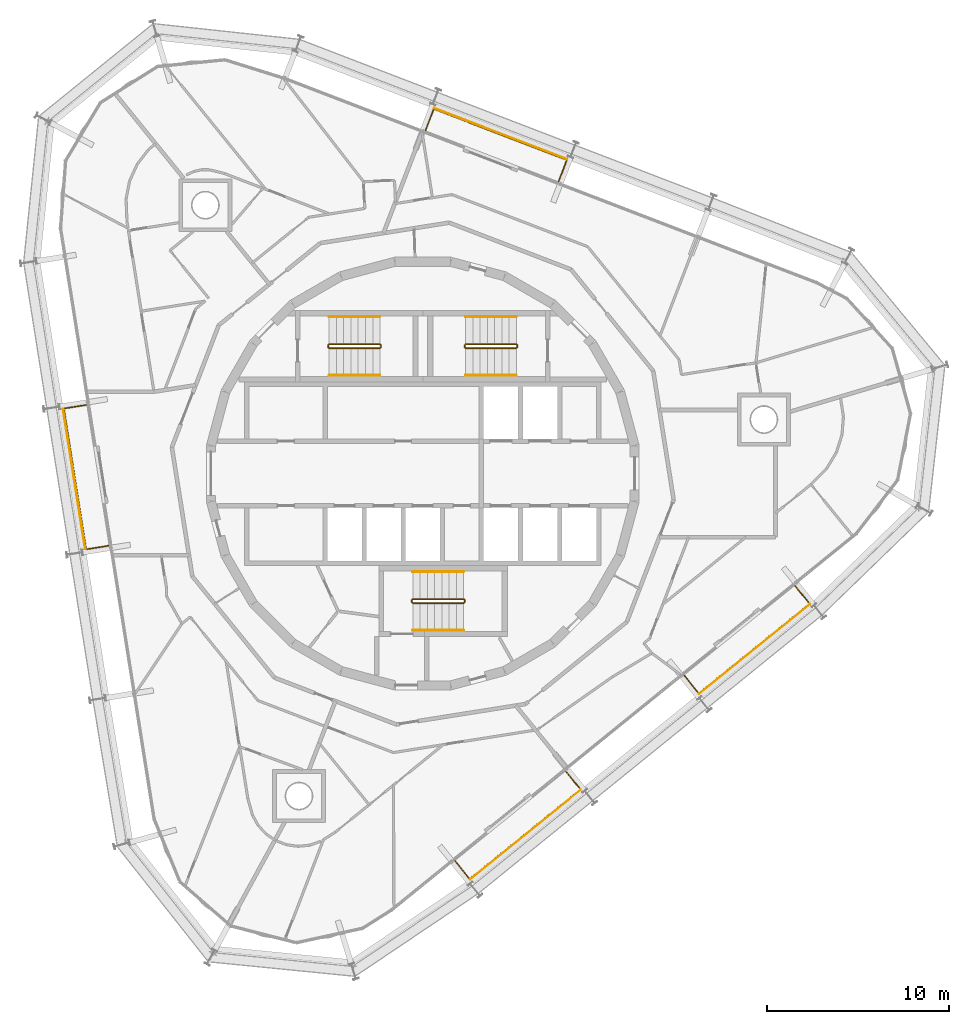
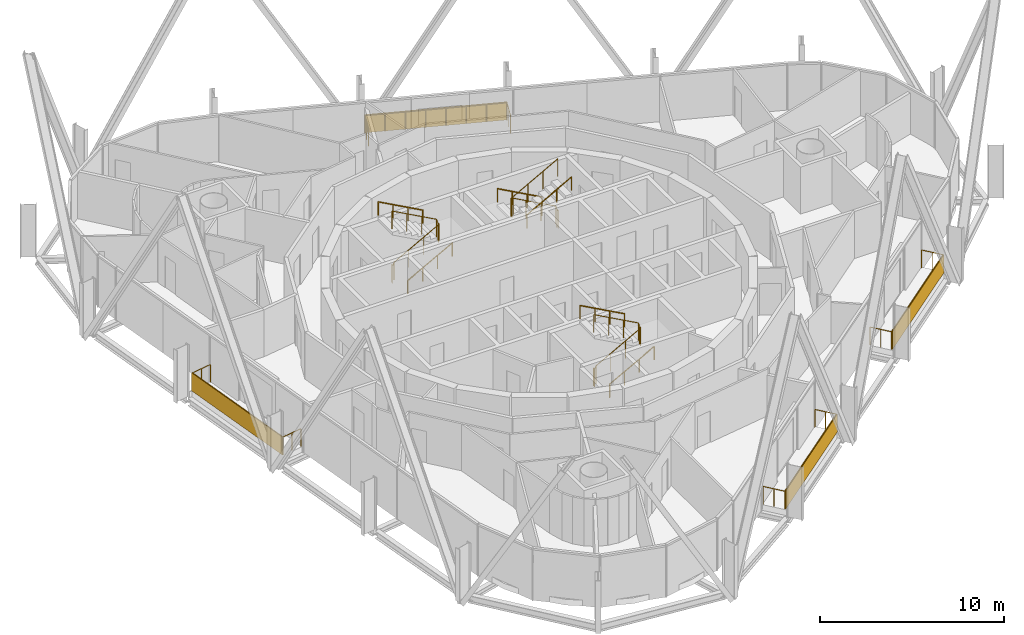
# One storey, part 18 of 18: 13 railings, 4 shading devices.
"""IFC4 building model written with IfcOpenShell, lengths in metres."""

from ifc_helpers import new_model, si_unit, direction, frame, origin, origin_2d, place, context, subcontext, project, spatial, rectangle, circle, extrude, material, layer, layer_set, type_object, element, save


model = new_model("IFC4")

# Units and contexts
model_context = context("Model", 3, precision=1e-05, world=origin(), true_north=direction((0.0, 1.0)))
body_context = subcontext(model_context, "Body", "Model", "MODEL_VIEW")
ifc_project = project(units=[si_unit("LENGTHUNIT", "METRE"), si_unit("AREAUNIT", "SQUARE_METRE"), si_unit("VOLUMEUNIT", "CUBIC_METRE"), si_unit("PLANEANGLEUNIT", "RADIAN"), si_unit("MASSUNIT", "GRAM", prefix="KILO")], contexts=[model_context])

# Site, building, storey
site_placement = place(None, origin())
site = spatial("IfcSite", under=ifc_project, at=site_placement, CompositionType="ELEMENT")
building_placement = place(site_placement, origin())
building = spatial("IfcBuilding", under=site, at=building_placement, Name="Spindle Arch Residences", CompositionType="ELEMENT")
storey_placement = place(building_placement, frame((0.0, 0.0, 277.39990234375)))
storey = spatial("IfcBuildingStorey", under=building, at=storey_placement, Name="L71", CompositionType="ELEMENT", Elevation=277.39990234375)

# Railings
ifc_material_1 = material(Name="Bronze anodised aluminium guard with glass infill", Category="aluminium")
railing_type_1 = type_object("IfcRailingType", Name="Balcony guard 1200", PredefinedType="GUARDRAIL", material=ifc_material_1)
railing_1_placement = place(storey_placement, frame((14.3857421875, -11.10888671875, 0.0)))
element("IfcRailing", 1, at=railing_1_placement, inside=storey, type_object=railing_type_1, Name="Guard L71 bay 1", PredefinedType="GUARDRAIL", context=body_context, shape_type="SweptSolid", body=[
    extrude(circle(Radius=0.02392578125, at=origin_2d()), frame((0.0, 0.0, 1.17578125), z_axis=(0.629422920791, -0.77706292331, 0.0), x_axis=(0.77706292331, 0.629422920791, 0.0)), (0.0, 0.0, 1.0), 1.250244140625),
    extrude(circle(Radius=0.02392578125, at=origin_2d()), frame((0.786865234375, -0.971435546875, 1.17578125), z_axis=(0.777138223033, 0.629329947087, 0.0), x_axis=(-0.629329947087, 0.777138223033, 0.0)), (0.0, 0.0, 1.0), 7.83740234375),
    extrude(circle(Radius=0.02392578125, at=origin_2d()), frame((6.877685546875, 3.9609375, 1.17578125), z_axis=(-0.629304977104, 0.777158443171, 0.0), x_axis=(-0.777158443171, -0.629304977104, 0.0)), (0.0, 0.0, 1.0), 1.25),
    extrude(circle(Radius=0.02099609375, at=origin_2d()), origin(), (0.0, 0.0, 1.0), 1.15185546875),
    extrude(circle(Radius=0.02099609375, at=origin_2d()), frame((0.3935546875, -0.48583984375, 0.0)), (0.0, 0.0, 1.0), 1.15185546875),
    extrude(circle(Radius=0.02099609375, at=origin_2d()), frame((0.786865234375, -0.971435546875, 0.0)), (0.0, 0.0, 1.0), 1.15185546875),
    extrude(circle(Radius=0.02099609375, at=origin_2d()), frame((1.656982421875, -0.266845703125, 0.0)), (0.0, 0.0, 1.0), 1.15185546875),
    extrude(circle(Radius=0.02099609375, at=origin_2d()), frame((2.527099609375, 0.437744140625, 0.0)), (0.0, 0.0, 1.0), 1.15185546875),
    extrude(circle(Radius=0.02099609375, at=origin_2d()), frame((3.397216796875, 1.142333984375, 0.0)), (0.0, 0.0, 1.0), 1.15185546875),
    extrude(circle(Radius=0.02099609375, at=origin_2d()), frame((4.267333984375, 1.84716796875, 0.0)), (0.0, 0.0, 1.0), 1.15185546875),
    extrude(circle(Radius=0.02099609375, at=origin_2d()), frame((5.137451171875, 2.5517578125, 0.0)), (0.0, 0.0, 1.0), 1.15185546875),
    extrude(circle(Radius=0.02099609375, at=origin_2d()), frame((6.007568359375, 3.25634765625, 0.0)), (0.0, 0.0, 1.0), 1.15185546875),
    extrude(circle(Radius=0.02099609375, at=origin_2d()), frame((6.877685546875, 3.9609375, 0.0)), (0.0, 0.0, 1.0), 1.15185546875),
    extrude(circle(Radius=0.02099609375, at=origin_2d()), frame((6.484375, 4.44677734375, 0.0)), (0.0, 0.0, 1.0), 1.15185546875),
    extrude(circle(Radius=0.02099609375, at=origin_2d()), frame((6.091064453125, 4.932373046875, 0.0)), (0.0, 0.0, 1.0), 1.15185546875),
])
railing_2_placement = place(storey_placement, frame((7.473876953125, 16.075927734375, 0.0)))
element("IfcRailing", 2, at=railing_2_placement, inside=storey, type_object=railing_type_1, Name="Guard L71 bay 7", PredefinedType="GUARDRAIL", context=body_context, shape_type="SweptSolid", body=[
    extrude(circle(Radius=0.02392578125, at=origin_2d()), frame((0.0, 0.0, 1.17578125), z_axis=(0.358219824021, 0.933637273077, 0.0), x_axis=(-0.933637273077, 0.358219824021, 0.0)), (0.0, 0.0, 1.0), 1.25),
    extrude(circle(Radius=0.02392578125, at=origin_2d()), frame((0.44775390625, 1.1669921875, 1.17578125), z_axis=(-0.933574226738, 0.358384100054, 0.0), x_axis=(-0.358384100054, -0.933574226738, 0.0)), (0.0, 0.0, 1.0), 7.83740234375),
    extrude(circle(Radius=0.02392578125, at=origin_2d()), frame((-6.869140625, 3.975830078125, 1.17578125), z_axis=(-0.358390063807, -0.933571937327, 0.0), x_axis=(0.933571937327, -0.358390063807, 0.0)), (0.0, 0.0, 1.0), 1.25),
    extrude(circle(Radius=0.02099609375, at=origin_2d()), origin(), (0.0, 0.0, 1.0), 1.15185546875),
    extrude(circle(Radius=0.02099609375, at=origin_2d()), frame((0.223876953125, 0.58349609375, 0.0)), (0.0, 0.0, 1.0), 1.15185546875),
    extrude(circle(Radius=0.02099609375, at=origin_2d()), frame((0.44775390625, 1.1669921875, 0.0)), (0.0, 0.0, 1.0), 1.15185546875),
    extrude(circle(Radius=0.02099609375, at=origin_2d()), frame((-0.597412109375, 1.568359375, 0.0)), (0.0, 0.0, 1.0), 1.15185546875),
    extrude(circle(Radius=0.02099609375, at=origin_2d()), frame((-1.642822265625, 1.969482421875, 0.0)), (0.0, 0.0, 1.0), 1.15185546875),
    extrude(circle(Radius=0.02099609375, at=origin_2d()), frame((-2.68798828125, 2.370849609375, 0.0)), (0.0, 0.0, 1.0), 1.15185546875),
    extrude(circle(Radius=0.02099609375, at=origin_2d()), frame((-3.7333984375, 2.77197265625, 0.0)), (0.0, 0.0, 1.0), 1.15185546875),
    extrude(circle(Radius=0.02099609375, at=origin_2d()), frame((-4.778564453125, 3.17333984375, 0.0)), (0.0, 0.0, 1.0), 1.15185546875),
    extrude(circle(Radius=0.02099609375, at=origin_2d()), frame((-5.823974609375, 3.574462890625, 0.0)), (0.0, 0.0, 1.0), 1.15185546875),
    extrude(circle(Radius=0.02099609375, at=origin_2d()), frame((-6.869140625, 3.975830078125, 0.0)), (0.0, 0.0, 1.0), 1.15185546875),
    extrude(circle(Radius=0.02099609375, at=origin_2d()), frame((-7.09326171875, 3.392333984375, 0.0)), (0.0, 0.0, 1.0), 1.15185546875),
    extrude(circle(Radius=0.02099609375, at=origin_2d()), frame((-7.317138671875, 2.808837890625, 0.0)), (0.0, 0.0, 1.0), 1.15185546875),
])
railing_3_placement = place(storey_placement, frame((-18.504638671875, 3.77294921875, 0.0)))
element("IfcRailing", 3, at=railing_3_placement, inside=storey, type_object=railing_type_1, Name="Guard L71 bay 13", PredefinedType="GUARDRAIL", context=body_context, shape_type="SweptSolid", body=[
    extrude(circle(Radius=0.02392578125, at=origin_2d()), frame((0.0, 0.0, 1.17578125), z_axis=(-0.987686835152, -0.156443969736, 0.0), x_axis=(0.156443969736, -0.987686835152, 0.0)), (0.0, 0.0, 1.0), 1.25),
    extrude(circle(Radius=0.02392578125, at=origin_2d()), frame((-1.234619140625, -0.195556640625, 1.17578125), z_axis=(0.156437642141, -0.987687837387, 0.0), x_axis=(0.987687837387, 0.156437642141, 0.0)), (0.0, 0.0, 1.0), 7.83740234375),
    extrude(circle(Radius=0.02392578125, at=origin_2d()), frame((-0.008544921875, -7.9365234375, 1.17578125), z_axis=(0.987686835152, 0.156443969736, 0.0), x_axis=(-0.156443969736, 0.987686835152, 0.0)), (0.0, 0.0, 1.0), 1.25),
    extrude(circle(Radius=0.02099609375, at=origin_2d()), origin(), (0.0, 0.0, 1.0), 1.15185546875),
    extrude(circle(Radius=0.02099609375, at=origin_2d()), frame((-0.6171875, -0.09765625, 0.0)), (0.0, 0.0, 1.0), 1.15185546875),
    extrude(circle(Radius=0.02099609375, at=origin_2d()), frame((-1.234619140625, -0.195556640625, 0.0)), (0.0, 0.0, 1.0), 1.15185546875),
    extrude(circle(Radius=0.02099609375, at=origin_2d()), frame((-1.0595703125, -1.301513671875, 0.0)), (0.0, 0.0, 1.0), 1.15185546875),
    extrude(circle(Radius=0.02099609375, at=origin_2d()), frame((-0.88427734375, -2.4072265625, 0.0)), (0.0, 0.0, 1.0), 1.15185546875),
    extrude(circle(Radius=0.02099609375, at=origin_2d()), frame((-0.709228515625, -3.51318359375, 0.0)), (0.0, 0.0, 1.0), 1.15185546875),
    extrude(circle(Radius=0.02099609375, at=origin_2d()), frame((-0.533935546875, -4.618896484375, 0.0)), (0.0, 0.0, 1.0), 1.15185546875),
    extrude(circle(Radius=0.02099609375, at=origin_2d()), frame((-0.35888671875, -5.724853515625, 0.0)), (0.0, 0.0, 1.0), 1.15185546875),
    extrude(circle(Radius=0.02099609375, at=origin_2d()), frame((-0.18359375, -6.83056640625, 0.0)), (0.0, 0.0, 1.0), 1.15185546875),
    extrude(circle(Radius=0.02099609375, at=origin_2d()), frame((-0.008544921875, -7.9365234375, 0.0)), (0.0, 0.0, 1.0), 1.15185546875),
    extrude(circle(Radius=0.02099609375, at=origin_2d()), frame((0.60888671875, -7.8388671875, 0.0)), (0.0, 0.0, 1.0), 1.15185546875),
    extrude(circle(Radius=0.02099609375, at=origin_2d()), frame((1.22607421875, -7.740966796875, 0.0)), (0.0, 0.0, 1.0), 1.15185546875),
])
railing_4_placement = place(storey_placement, frame((1.7841796875, -21.3134765625, 0.0)))
element("IfcRailing", 4, at=railing_4_placement, inside=storey, type_object=railing_type_1, Name="Guard L71 bay 19", PredefinedType="GUARDRAIL", context=body_context, shape_type="SweptSolid", body=[
    extrude(circle(Radius=0.02392578125, at=origin_2d()), frame((0.0, 0.0, 1.17578125), z_axis=(0.629422920791, -0.77706292331, 0.0), x_axis=(0.77706292331, 0.629422920791, 0.0)), (0.0, 0.0, 1.0), 1.250244140625),
    extrude(circle(Radius=0.02392578125, at=origin_2d()), frame((0.786865234375, -0.971435546875, 1.17578125), z_axis=(0.777138223033, 0.629329947087, 0.0), x_axis=(-0.629329947087, 0.777138223033, 0.0)), (0.0, 0.0, 1.0), 7.83740234375),
    extrude(circle(Radius=0.02392578125, at=origin_2d()), frame((6.877685546875, 3.9609375, 1.17578125), z_axis=(-0.629304977104, 0.777158443171, 0.0), x_axis=(-0.777158443171, -0.629304977104, 0.0)), (0.0, 0.0, 1.0), 1.25),
    extrude(circle(Radius=0.02099609375, at=origin_2d()), origin(), (0.0, 0.0, 1.0), 1.15185546875),
    extrude(circle(Radius=0.02099609375, at=origin_2d()), frame((0.3935546875, -0.48583984375, 0.0)), (0.0, 0.0, 1.0), 1.15185546875),
    extrude(circle(Radius=0.02099609375, at=origin_2d()), frame((0.786865234375, -0.971435546875, 0.0)), (0.0, 0.0, 1.0), 1.15185546875),
    extrude(circle(Radius=0.02099609375, at=origin_2d()), frame((1.656982421875, -0.266845703125, 0.0)), (0.0, 0.0, 1.0), 1.15185546875),
    extrude(circle(Radius=0.02099609375, at=origin_2d()), frame((2.527099609375, 0.437744140625, 0.0)), (0.0, 0.0, 1.0), 1.15185546875),
    extrude(circle(Radius=0.02099609375, at=origin_2d()), frame((3.397216796875, 1.142333984375, 0.0)), (0.0, 0.0, 1.0), 1.15185546875),
    extrude(circle(Radius=0.02099609375, at=origin_2d()), frame((4.267333984375, 1.84716796875, 0.0)), (0.0, 0.0, 1.0), 1.15185546875),
    extrude(circle(Radius=0.02099609375, at=origin_2d()), frame((5.137451171875, 2.5517578125, 0.0)), (0.0, 0.0, 1.0), 1.15185546875),
    extrude(circle(Radius=0.02099609375, at=origin_2d()), frame((6.007568359375, 3.25634765625, 0.0)), (0.0, 0.0, 1.0), 1.15185546875),
    extrude(circle(Radius=0.02099609375, at=origin_2d()), frame((6.877685546875, 3.9609375, 0.0)), (0.0, 0.0, 1.0), 1.15185546875),
    extrude(circle(Radius=0.02099609375, at=origin_2d()), frame((6.484375, 4.44677734375, 0.0)), (0.0, 0.0, 1.0), 1.15185546875),
    extrude(circle(Radius=0.02099609375, at=origin_2d()), frame((6.091064453125, 4.932373046875, 0.0)), (0.0, 0.0, 1.0), 1.15185546875),
])

# Shading devices
ifc_material_2 = material(Name="Bronze perforated cobogo screen")
ifc_layer = layer(ifc_material_2, 0.0390625)
ifc_layer_set = layer_set([ifc_layer], Name="Cobogo screen 1200")
shading_device_type = type_object("IfcShadingDeviceType", Name="Cobogo screen 1200", PredefinedType="USERDEFINED", material=ifc_layer_set)
for number, where, z_axis, x_axis, name in (
    (5, (18.243408203125, -9.645751953125, 0.0), (0.0, 0.0, 1.0), (0.777145961457, 0.62932039105, 0.0), "Cobogo screen L71 bay 1"),
    (6, (4.27783203125, 18.68505859375, 0.0), (0.0, 0.0, 1.0), (-0.933580426497, 0.358367949545, 0.0), "Cobogo screen L71 bay 7"),
    (7, (-19.166259765625, -0.29931640625, 0.0), (0.0, 0.0, 1.0), (0.15643446504, -0.987688340595, 0.0), "Cobogo screen L71 bay 13"),
    (8, (5.641845703125, -19.850341796875, 0.0), (0.0, 0.0, 1.0), (0.777145961457, 0.62932039105, 0.0), "Cobogo screen L71 bay 19"),
):
    element("IfcShadingDevice", number, at=place(storey_placement, frame(where, z_axis=z_axis, x_axis=x_axis)), inside=storey, type_object=shading_device_type, Name=name, ObjectType="SCREEN", PredefinedType="USERDEFINED", context=body_context, shape_type="SweptSolid", body=[
        extrude(rectangle(XDim=7.837646484375, YDim=0.0390625, at=origin_2d()), origin(), (0.0, 0.0, 1.0), 1.199951171875),
    ])

# Railings
ifc_material_3 = material(Name="Steel, painted", Category="steel")
railing_type_2 = type_object("IfcRailingType", Name="Stair guard 1100", PredefinedType="GUARDRAIL", material=ifc_material_3)
railing_5_placement = place(storey_placement, frame((5.14990234375, 6.89990234375, 3.5)))
element("IfcRailing", 9, at=railing_5_placement, inside=storey, type_object=railing_type_2, Name="L71 ST1 stair guard 1", PredefinedType="GUARDRAIL", context=body_context, shape_type="SweptSolid", body=[
    extrude(circle(Radius=0.02392578125, at=origin_2d()), frame((0.0, 0.0, 1.17578125), z_axis=(-0.877357048833, 0.0, -0.479838106931), x_axis=(0.0, -1.0, 0.0)), (0.0, 0.0, 1.0), 3.191162109375),
    extrude(circle(Radius=0.02392578125, at=origin_2d()), frame((-2.7998046875, 0.0, -0.35546875), z_axis=(-0.217683172539, 0.217683172539, -0.951434744366), x_axis=(-0.707106781187, -0.707106781187, 0.0)), (0.0, 0.0, 1.0), 0.22998046875),
    extrude(circle(Radius=0.02392578125, at=origin_2d()), frame((-2.849853515625, 0.050048828125, -0.57421875), z_axis=(0.0, 1.0, 0.0), x_axis=(-1.0, 0.0, 0.0)), (0.0, 0.0, 1.0), 0.1201171875),
    extrude(circle(Radius=0.02392578125, at=origin_2d()), frame((-2.849853515625, 0.170166015625, -0.57421875), z_axis=(0.707106781187, 0.707106781187, 0.0), x_axis=(-0.707106781187, 0.707106781187, 0.0)), (0.0, 0.0, 1.0), 0.07080078125),
    extrude(circle(Radius=0.02392578125, at=origin_2d()), frame((-2.7998046875, 0.22021484375, -0.57421875), z_axis=(0.877357048833, 0.0, -0.479838106931), x_axis=(0.0, 1.0, 0.0)), (0.0, 0.0, 1.0), 3.191162109375),
    extrude(circle(Radius=0.02392578125, at=origin_2d()), frame((0.0, 0.22021484375, -2.10546875), z_axis=(0.217683172539, -0.217683172539, -0.951434744366), x_axis=(0.707106781187, 0.707106781187, 0.0)), (0.0, 0.0, 1.0), 0.22998046875),
    extrude(circle(Radius=0.02392578125, at=origin_2d()), frame((0.050048828125, 0.170166015625, -2.32421875), z_axis=(0.0, -1.0, 0.0), x_axis=(1.0, 0.0, 0.0)), (0.0, 0.0, 1.0), 0.1201171875),
    extrude(circle(Radius=0.02099609375, at=origin_2d()), origin(), (0.0, 0.0, 1.0), 1.15185546875),
    extrude(circle(Radius=0.02099609375, at=origin_2d()), frame((-0.933349609375, 0.0, -0.510498046875)), (0.0, 0.0, 1.0), 1.15185546875),
    extrude(circle(Radius=0.02099609375, at=origin_2d()), frame((-1.866455078125, 0.0, -1.020751953125)), (0.0, 0.0, 1.0), 1.15185546875),
    extrude(circle(Radius=0.02099609375, at=origin_2d()), frame((-2.7998046875, 0.0, -1.53125)), (0.0, 0.0, 1.0), 1.15185546875),
    extrude(circle(Radius=0.02099609375, at=origin_2d()), frame((-2.849853515625, 0.050048828125, -1.75)), (0.0, 0.0, 1.0), 1.15185546875),
    extrude(circle(Radius=0.02099609375, at=origin_2d()), frame((-2.849853515625, 0.170166015625, -1.75)), (0.0, 0.0, 1.0), 1.15185546875),
    extrude(circle(Radius=0.02099609375, at=origin_2d()), frame((-2.7998046875, 0.22021484375, -1.75)), (0.0, 0.0, 1.0), 1.15185546875),
    extrude(circle(Radius=0.02099609375, at=origin_2d()), frame((-1.866455078125, 0.22021484375, -2.260498046875)), (0.0, 0.0, 1.0), 1.15185546875),
    extrude(circle(Radius=0.02099609375, at=origin_2d()), frame((-0.933349609375, 0.22021484375, -2.770751953125)), (0.0, 0.0, 1.0), 1.15185546875),
    extrude(circle(Radius=0.02099609375, at=origin_2d()), frame((0.0, 0.22021484375, -3.28125)), (0.0, 0.0, 1.0), 1.15185546875),
    extrude(circle(Radius=0.02099609375, at=origin_2d()), frame((0.050048828125, 0.170166015625, -3.5)), (0.0, 0.0, 1.0), 1.15185546875),
    extrude(circle(Radius=0.02099609375, at=origin_2d()), frame((0.050048828125, 0.050048828125, -3.5)), (0.0, 0.0, 1.0), 1.15185546875),
])
railing_6_placement = place(storey_placement, frame((-5.14990234375, 7.1201171875, 3.5)))
element("IfcRailing", 10, at=railing_6_placement, inside=storey, type_object=railing_type_2, Name="L71 ST2 stair guard 1", PredefinedType="GUARDRAIL", context=body_context, shape_type="SweptSolid", body=[
    extrude(circle(Radius=0.02392578125, at=origin_2d()), frame((0.0, 0.0, 1.17578125), z_axis=(0.877357048833, 0.0, -0.479838106931), x_axis=(0.0, 1.0, 0.0)), (0.0, 0.0, 1.0), 3.191162109375),
    extrude(circle(Radius=0.02392578125, at=origin_2d()), frame((2.7998046875, 0.0, -0.35546875), z_axis=(0.217683172539, -0.217683172539, -0.951434744366), x_axis=(0.707106781187, 0.707106781187, 0.0)), (0.0, 0.0, 1.0), 0.22998046875),
    extrude(circle(Radius=0.02392578125, at=origin_2d()), frame((2.849853515625, -0.050048828125, -0.57421875), z_axis=(0.0, -1.0, 0.0), x_axis=(1.0, 0.0, 0.0)), (0.0, 0.0, 1.0), 0.1201171875),
    extrude(circle(Radius=0.02392578125, at=origin_2d()), frame((2.849853515625, -0.170166015625, -0.57421875), z_axis=(-0.707106781187, -0.707106781187, 0.0), x_axis=(0.707106781187, -0.707106781187, 0.0)), (0.0, 0.0, 1.0), 0.07080078125),
    extrude(circle(Radius=0.02392578125, at=origin_2d()), frame((2.7998046875, -0.22021484375, -0.57421875), z_axis=(-0.877357048833, 0.0, -0.479838106931), x_axis=(0.0, -1.0, 0.0)), (0.0, 0.0, 1.0), 3.191162109375),
    extrude(circle(Radius=0.02392578125, at=origin_2d()), frame((0.0, -0.22021484375, -2.10546875), z_axis=(-0.217683172539, 0.217683172539, -0.951434744366), x_axis=(-0.707106781187, -0.707106781187, 0.0)), (0.0, 0.0, 1.0), 0.22998046875),
    extrude(circle(Radius=0.02392578125, at=origin_2d()), frame((-0.050048828125, -0.170166015625, -2.32421875), z_axis=(0.0, 1.0, 0.0), x_axis=(-1.0, 0.0, 0.0)), (0.0, 0.0, 1.0), 0.1201171875),
    extrude(circle(Radius=0.02099609375, at=origin_2d()), origin(), (0.0, 0.0, 1.0), 1.15185546875),
    extrude(circle(Radius=0.02099609375, at=origin_2d()), frame((0.933349609375, 0.0, -0.510498046875)), (0.0, 0.0, 1.0), 1.15185546875),
    extrude(circle(Radius=0.02099609375, at=origin_2d()), frame((1.866455078125, 0.0, -1.020751953125)), (0.0, 0.0, 1.0), 1.15185546875),
    extrude(circle(Radius=0.02099609375, at=origin_2d()), frame((2.7998046875, 0.0, -1.53125)), (0.0, 0.0, 1.0), 1.15185546875),
    extrude(circle(Radius=0.02099609375, at=origin_2d()), frame((2.849853515625, -0.050048828125, -1.75)), (0.0, 0.0, 1.0), 1.15185546875),
    extrude(circle(Radius=0.02099609375, at=origin_2d()), frame((2.849853515625, -0.170166015625, -1.75)), (0.0, 0.0, 1.0), 1.15185546875),
    extrude(circle(Radius=0.02099609375, at=origin_2d()), frame((2.7998046875, -0.22021484375, -1.75)), (0.0, 0.0, 1.0), 1.15185546875),
    extrude(circle(Radius=0.02099609375, at=origin_2d()), frame((1.866455078125, -0.22021484375, -2.260498046875)), (0.0, 0.0, 1.0), 1.15185546875),
    extrude(circle(Radius=0.02099609375, at=origin_2d()), frame((0.933349609375, -0.22021484375, -2.770751953125)), (0.0, 0.0, 1.0), 1.15185546875),
    extrude(circle(Radius=0.02099609375, at=origin_2d()), frame((0.0, -0.22021484375, -3.28125)), (0.0, 0.0, 1.0), 1.15185546875),
    extrude(circle(Radius=0.02099609375, at=origin_2d()), frame((-0.050048828125, -0.170166015625, -3.5)), (0.0, 0.0, 1.0), 1.15185546875),
    extrude(circle(Radius=0.02099609375, at=origin_2d()), frame((-0.050048828125, -0.050048828125, -3.5)), (0.0, 0.0, 1.0), 1.15185546875),
])
railing_7_placement = place(storey_placement, frame((-0.550048828125, -6.89990234375, 3.5)))
element("IfcRailing", 11, at=railing_7_placement, inside=storey, type_object=railing_type_2, Name="L71 ST3 stair guard 1", PredefinedType="GUARDRAIL", context=body_context, shape_type="SweptSolid", body=[
    extrude(circle(Radius=0.02392578125, at=origin_2d()), frame((0.0, 0.0, 1.17578125), z_axis=(0.877374661878, 0.0, -0.479805901063), x_axis=(0.0, 1.0, 0.0)), (0.0, 0.0, 1.0), 3.19140625),
    extrude(circle(Radius=0.02392578125, at=origin_2d()), frame((2.800048828125, 0.0, -0.35546875), z_axis=(0.217683172539, -0.217683172539, -0.951434744366), x_axis=(0.707106781187, 0.707106781187, 0.0)), (0.0, 0.0, 1.0), 0.22998046875),
    extrude(circle(Radius=0.02392578125, at=origin_2d()), frame((2.85009765625, -0.050048828125, -0.57421875), z_axis=(0.0, -1.0, 0.0), x_axis=(1.0, 0.0, 0.0)), (0.0, 0.0, 1.0), 0.1201171875),
    extrude(circle(Radius=0.02392578125, at=origin_2d()), frame((2.85009765625, -0.170166015625, -0.57421875), z_axis=(-0.707106781187, -0.707106781187, 0.0), x_axis=(0.707106781187, -0.707106781187, 0.0)), (0.0, 0.0, 1.0), 0.07080078125),
    extrude(circle(Radius=0.02392578125, at=origin_2d()), frame((2.800048828125, -0.22021484375, -0.57421875), z_axis=(-0.877374661878, 0.0, -0.479805901063), x_axis=(0.0, -1.0, 0.0)), (0.0, 0.0, 1.0), 3.19140625),
    extrude(circle(Radius=0.02392578125, at=origin_2d()), frame((0.0, -0.22021484375, -2.10546875), z_axis=(-0.217683172539, 0.217683172539, -0.951434744366), x_axis=(-0.707106781187, -0.707106781187, 0.0)), (0.0, 0.0, 1.0), 0.22998046875),
    extrude(circle(Radius=0.02392578125, at=origin_2d()), frame((-0.050048828125, -0.170166015625, -2.32421875), z_axis=(0.0, 1.0, 0.0), x_axis=(-1.0, 0.0, 0.0)), (0.0, 0.0, 1.0), 0.1201171875),
    extrude(circle(Radius=0.02099609375, at=origin_2d()), origin(), (0.0, 0.0, 1.0), 1.15185546875),
    extrude(circle(Radius=0.02099609375, at=origin_2d()), frame((0.933349609375, 0.0, -0.510498046875)), (0.0, 0.0, 1.0), 1.15185546875),
    extrude(circle(Radius=0.02099609375, at=origin_2d()), frame((1.86669921875, 0.0, -1.020751953125)), (0.0, 0.0, 1.0), 1.15185546875),
    extrude(circle(Radius=0.02099609375, at=origin_2d()), frame((2.800048828125, 0.0, -1.53125)), (0.0, 0.0, 1.0), 1.15185546875),
    extrude(circle(Radius=0.02099609375, at=origin_2d()), frame((2.85009765625, -0.050048828125, -1.75)), (0.0, 0.0, 1.0), 1.15185546875),
    extrude(circle(Radius=0.02099609375, at=origin_2d()), frame((2.85009765625, -0.170166015625, -1.75)), (0.0, 0.0, 1.0), 1.15185546875),
    extrude(circle(Radius=0.02099609375, at=origin_2d()), frame((2.800048828125, -0.22021484375, -1.75)), (0.0, 0.0, 1.0), 1.15185546875),
    extrude(circle(Radius=0.02099609375, at=origin_2d()), frame((1.86669921875, -0.22021484375, -2.260498046875)), (0.0, 0.0, 1.0), 1.15185546875),
    extrude(circle(Radius=0.02099609375, at=origin_2d()), frame((0.933349609375, -0.22021484375, -2.770751953125)), (0.0, 0.0, 1.0), 1.15185546875),
    extrude(circle(Radius=0.02099609375, at=origin_2d()), frame((0.0, -0.22021484375, -3.28125)), (0.0, 0.0, 1.0), 1.15185546875),
    extrude(circle(Radius=0.02099609375, at=origin_2d()), frame((-0.050048828125, -0.170166015625, -3.5)), (0.0, 0.0, 1.0), 1.15185546875),
    extrude(circle(Radius=0.02099609375, at=origin_2d()), frame((-0.050048828125, -0.050048828125, -3.5)), (0.0, 0.0, 1.0), 1.15185546875),
])
ifc_material_4 = material(Name="Steel, painted", Category="steel")
railing_type_3 = type_object("IfcRailingType", Name="Stair handrail 900", PredefinedType="HANDRAIL", material=ifc_material_4)
railing_8_placement = place(storey_placement, frame((5.14990234375, 8.6201171875, 0.21875)))
element("IfcRailing", 12, at=railing_8_placement, inside=storey, type_object=railing_type_3, Name="L71 ST1 stair handrail 1", PredefinedType="HANDRAIL", context=body_context, shape_type="SweptSolid", body=[
    extrude(circle(Radius=0.02392578125, at=origin_2d()), frame((0.0, 0.0, 0.8759765625), z_axis=(-0.877357048833, 0.0, 0.479838106931), x_axis=(0.0, -1.0, 0.0)), (0.0, 0.0, 1.0), 3.191162109375),
    extrude(circle(Radius=0.02099609375, at=origin_2d()), origin(), (0.0, 0.0, 1.0), 0.851806640625),
    extrude(circle(Radius=0.02099609375, at=origin_2d()), frame((-0.933349609375, 0.0, 0.510498046875)), (0.0, 0.0, 1.0), 0.851806640625),
    extrude(circle(Radius=0.02099609375, at=origin_2d()), frame((-1.866455078125, 0.0, 1.020751953125)), (0.0, 0.0, 1.0), 0.851806640625),
    extrude(circle(Radius=0.02099609375, at=origin_2d()), frame((-2.7998046875, 0.0, 1.53125)), (0.0, 0.0, 1.0), 0.851806640625),
])
for number, where, name in (
    (13, (2.35009765625, 5.39990234375, 1.96875), "L71 ST1 stair handrail 2"),
    (14, (-5.14990234375, 5.39990234375, 0.21875), "L71 ST2 stair handrail 1"),
):
    element("IfcRailing", number, at=place(storey_placement, frame(where)), inside=storey, type_object=railing_type_3, Name=name, PredefinedType="HANDRAIL", context=body_context, shape_type="SweptSolid", body=[
        extrude(circle(Radius=0.02392578125, at=origin_2d()), frame((0.0, 0.0, 0.8759765625), z_axis=(0.877357048833, 0.0, 0.479838106931), x_axis=(0.0, 1.0, 0.0)), (0.0, 0.0, 1.0), 3.191162109375),
        extrude(circle(Radius=0.02099609375, at=origin_2d()), origin(), (0.0, 0.0, 1.0), 0.851806640625),
        extrude(circle(Radius=0.02099609375, at=origin_2d()), frame((0.933349609375, 0.0, 0.510498046875)), (0.0, 0.0, 1.0), 0.851806640625),
        extrude(circle(Radius=0.02099609375, at=origin_2d()), frame((1.866455078125, 0.0, 1.020751953125)), (0.0, 0.0, 1.0), 0.851806640625),
        extrude(circle(Radius=0.02099609375, at=origin_2d()), frame((2.7998046875, 0.0, 1.53125)), (0.0, 0.0, 1.0), 0.851806640625),
    ])
railing_9_placement = place(storey_placement, frame((-2.35009765625, 8.6201171875, 1.96875)))
element("IfcRailing", 15, at=railing_9_placement, inside=storey, type_object=railing_type_3, Name="L71 ST2 stair handrail 2", PredefinedType="HANDRAIL", context=body_context, shape_type="SweptSolid", body=[
    extrude(circle(Radius=0.02392578125, at=origin_2d()), frame((0.0, 0.0, 0.8759765625), z_axis=(-0.877357048833, 0.0, 0.479838106931), x_axis=(0.0, -1.0, 0.0)), (0.0, 0.0, 1.0), 3.191162109375),
    extrude(circle(Radius=0.02099609375, at=origin_2d()), origin(), (0.0, 0.0, 1.0), 0.851806640625),
    extrude(circle(Radius=0.02099609375, at=origin_2d()), frame((-0.933349609375, 0.0, 0.510498046875)), (0.0, 0.0, 1.0), 0.851806640625),
    extrude(circle(Radius=0.02099609375, at=origin_2d()), frame((-1.866455078125, 0.0, 1.020751953125)), (0.0, 0.0, 1.0), 0.851806640625),
    extrude(circle(Radius=0.02099609375, at=origin_2d()), frame((-2.7998046875, 0.0, 1.53125)), (0.0, 0.0, 1.0), 0.851806640625),
])
railing_10_placement = place(storey_placement, frame((-0.550048828125, -8.6201171875, 0.21875)))
element("IfcRailing", 16, at=railing_10_placement, inside=storey, type_object=railing_type_3, Name="L71 ST3 stair handrail 1", PredefinedType="HANDRAIL", context=body_context, shape_type="SweptSolid", body=[
    extrude(circle(Radius=0.02392578125, at=origin_2d()), frame((0.0, 0.0, 0.8759765625), z_axis=(0.877374661878, 0.0, 0.479805901063), x_axis=(0.0, 1.0, 0.0)), (0.0, 0.0, 1.0), 3.19140625),
    extrude(circle(Radius=0.02099609375, at=origin_2d()), origin(), (0.0, 0.0, 1.0), 0.851806640625),
    extrude(circle(Radius=0.02099609375, at=origin_2d()), frame((0.933349609375, 0.0, 0.510498046875)), (0.0, 0.0, 1.0), 0.851806640625),
    extrude(circle(Radius=0.02099609375, at=origin_2d()), frame((1.86669921875, 0.0, 1.020751953125)), (0.0, 0.0, 1.0), 0.851806640625),
    extrude(circle(Radius=0.02099609375, at=origin_2d()), frame((2.800048828125, 0.0, 1.53125)), (0.0, 0.0, 1.0), 0.851806640625),
])
railing_11_placement = place(storey_placement, frame((2.25, -5.39990234375, 1.96875)))
element("IfcRailing", 17, at=railing_11_placement, inside=storey, type_object=railing_type_3, Name="L71 ST3 stair handrail 2", PredefinedType="HANDRAIL", context=body_context, shape_type="SweptSolid", body=[
    extrude(circle(Radius=0.02392578125, at=origin_2d()), frame((0.0, 0.0, 0.8759765625), z_axis=(-0.877374661878, 0.0, 0.479805901063), x_axis=(0.0, -1.0, 0.0)), (0.0, 0.0, 1.0), 3.19140625),
    extrude(circle(Radius=0.02099609375, at=origin_2d()), origin(), (0.0, 0.0, 1.0), 0.851806640625),
    extrude(circle(Radius=0.02099609375, at=origin_2d()), frame((-0.933349609375, 0.0, 0.510498046875)), (0.0, 0.0, 1.0), 0.851806640625),
    extrude(circle(Radius=0.02099609375, at=origin_2d()), frame((-1.86669921875, 0.0, 1.020751953125)), (0.0, 0.0, 1.0), 0.851806640625),
    extrude(circle(Radius=0.02099609375, at=origin_2d()), frame((-2.800048828125, 0.0, 1.53125)), (0.0, 0.0, 1.0), 0.851806640625),
])

save(model, "model.ifc")
